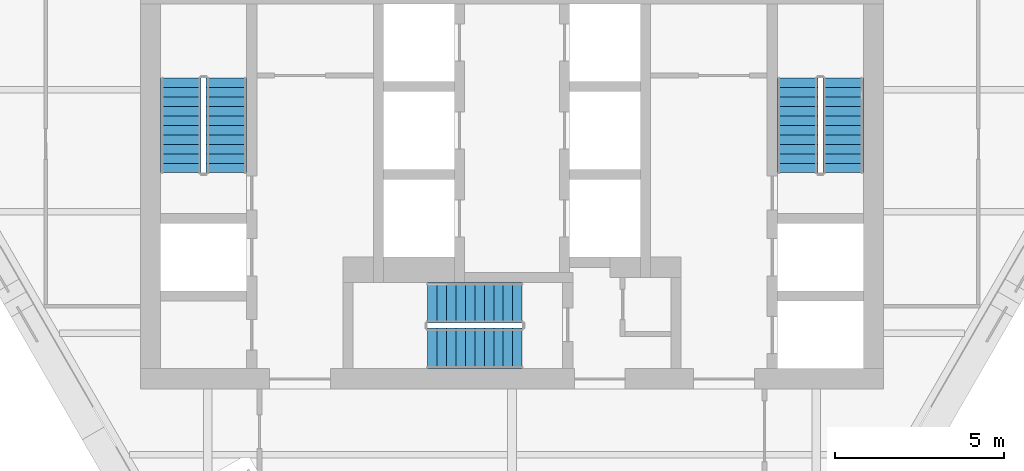
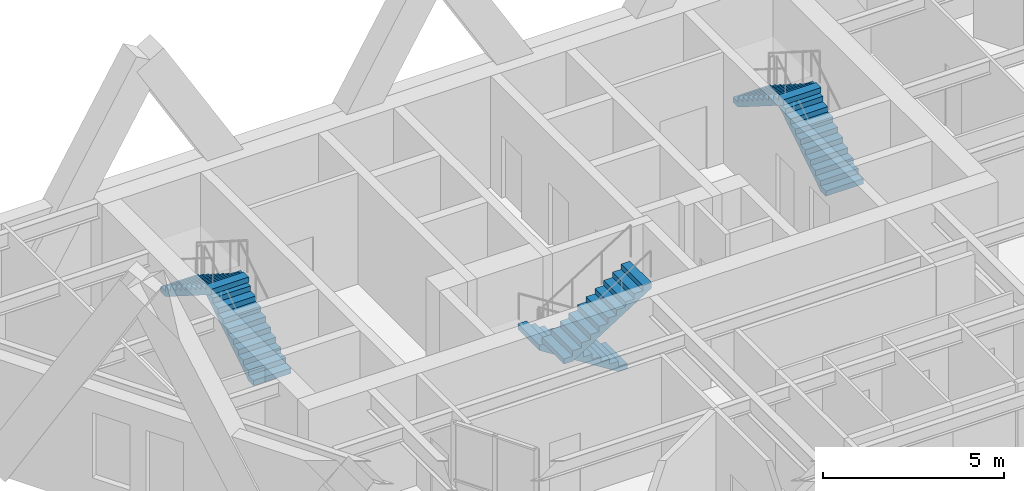
# One storey, part 7 of 8: 6 stair flights, 3 elements without a shape of their own.
"""IFC4 building model written with IfcOpenShell, lengths in metres."""

from ifc_helpers import new_model, si_unit, direction, frame, origin, place, context, subcontext, project, spatial, polyline, outline, extrude, material, type_object, element, aggregate, save


model = new_model("IFC4")

# Units and contexts
model_context = context("Model", 3, precision=1e-05, world=origin(), true_north=direction((0.0, 1.0)))
body_context = subcontext(model_context, "Body", "Model", "MODEL_VIEW")
ifc_project = project(units=[si_unit("LENGTHUNIT", "METRE"), si_unit("AREAUNIT", "SQUARE_METRE"), si_unit("VOLUMEUNIT", "CUBIC_METRE"), si_unit("PLANEANGLEUNIT", "RADIAN"), si_unit("MASSUNIT", "GRAM", prefix="KILO")], contexts=[model_context])

# Site, building, storey
site_placement = place(None, origin())
site = spatial("IfcSite", under=ifc_project, at=site_placement, CompositionType="ELEMENT")
building_placement = place(site_placement, origin())
building = spatial("IfcBuilding", under=site, at=building_placement, Name="Aloe Facet Convention Tower", CompositionType="ELEMENT")
storey_placement = place(building_placement, frame((0.0, 0.0, 262.10009765625)))
storey = spatial("IfcBuildingStorey", under=building, at=storey_placement, Name="L64", CompositionType="ELEMENT", Elevation=262.10009765625)

# Stair, stair flights
ifc_material_1 = material(Name="Concrete C50/60", Category="concrete")
stair_type = type_object("IfcStairType", Name="CR-ST-22R", PredefinedType="HALF_TURN_STAIR", material=ifc_material_1)
stair_1_placement = place(storey_placement, origin())
stair_1 = element("IfcStair", 1, at=stair_1_placement, inside=storey, type_object=stair_type, Name="L64 Protected exit stair ST1", PredefinedType="HALF_TURN_STAIR")
ifc_material_2 = material(Name="Concrete C50/60", Category="concrete")
stair_flight_type = type_object("IfcStairFlightType", Name="CR-SFL-22R", PredefinedType="STRAIGHT", material=ifc_material_2)
stair_flight_1_placement = place(storey_placement, frame((71.550048828125, 128.949951171875, 0.0), z_axis=(0.0, 0.0, 1.0), x_axis=(0.0, 1.0, 0.0)))
stair_flight_1 = element("IfcStairFlight", 2, at=stair_flight_1_placement, type_object=stair_flight_type, Name="ST1 flight 1", NumberOfRisers=11, NumberOfTreads=10, PredefinedType="STRAIGHT", RiserHeight=0.177272727, TreadLength=0.28, context=body_context, shape_type="SweptSolid", body=[
    extrude(outline(polyline([(0.0, 0.0), (0.0, 0.17724609375), (0.280029296875, 0.17724609375), (0.280029296875, 0.3544921875), (0.56005859375, 0.3544921875), (0.56005859375, 0.53173828125), (0.840087890625, 0.53173828125), (0.840087890625, 0.708984375), (1.1201171875, 0.708984375), (1.1201171875, 0.886474609375), (1.39990234375, 0.886474609375), (1.39990234375, 1.063720703125), (1.679931640625, 1.063720703125), (1.679931640625, 1.240966796875), (1.9599609375, 1.240966796875), (1.9599609375, 1.418212890625), (2.239990234375, 1.418212890625), (2.239990234375, 1.595458984375), (2.52001953125, 1.595458984375), (2.52001953125, 1.772705078125), (2.800048828125, 1.772705078125), (2.800048828125, 1.949951171875), (2.800048828125, 1.59521484375), (0.2802734375, 0.0), (0.0, 0.0)])), frame((0.0, 0.60009765625, 0.0), z_axis=(0.0, -1.0, 0.0), x_axis=(1.0, 0.0, 0.0)), (0.0, 0.0, 1.0), 1.199951171875),
])
stair_flight_2_placement = place(storey_placement, frame((70.199951171875, 131.75, 1.949951171875), z_axis=(0.0, 0.0, 1.0), x_axis=(0.0, -1.0, 0.0)))
stair_flight_2 = element("IfcStairFlight", 3, at=stair_flight_2_placement, type_object=stair_flight_type, Name="ST1 flight 2", NumberOfRisers=11, NumberOfTreads=10, PredefinedType="STRAIGHT", RiserHeight=0.177272727, TreadLength=0.28, context=body_context, shape_type="SweptSolid", body=[
    extrude(outline(polyline([(0.0, 0.0), (0.0, 0.17724609375), (0.280029296875, 0.17724609375), (0.280029296875, 0.3544921875), (0.56005859375, 0.3544921875), (0.56005859375, 0.53173828125), (0.840087890625, 0.53173828125), (0.840087890625, 0.708984375), (1.1201171875, 0.708984375), (1.1201171875, 0.886474609375), (1.39990234375, 0.886474609375), (1.39990234375, 1.063720703125), (1.679931640625, 1.063720703125), (1.679931640625, 1.240966796875), (1.9599609375, 1.240966796875), (1.9599609375, 1.418212890625), (2.239990234375, 1.418212890625), (2.239990234375, 1.595458984375), (2.52001953125, 1.595458984375), (2.52001953125, 1.772705078125), (2.800048828125, 1.772705078125), (2.800048828125, 1.949951171875), (2.800048828125, 1.59521484375), (0.2802734375, 0.0), (0.0, 0.0)])), frame((0.0, 0.60009765625, 0.0), z_axis=(0.0, -1.0, 0.0), x_axis=(1.0, 0.0, 0.0)), (0.0, 0.0, 1.0), 1.199951171875),
])
aggregate(stair_1, [stair_flight_1, stair_flight_2])

stair_2_placement = place(storey_placement, origin())
stair_2 = element("IfcStair", 4, at=stair_2_placement, inside=storey, type_object=stair_type, Name="L64 Protected exit stair ST2", PredefinedType="HALF_TURN_STAIR")
stair_flight_3_placement = place(storey_placement, frame((89.800048828125, 128.949951171875, 0.0), z_axis=(0.0, 0.0, 1.0), x_axis=(0.0, 1.0, 0.0)))
stair_flight_3 = element("IfcStairFlight", 5, at=stair_flight_3_placement, type_object=stair_flight_type, Name="ST2 flight 1", NumberOfRisers=11, NumberOfTreads=10, PredefinedType="STRAIGHT", RiserHeight=0.177272727, TreadLength=0.28, context=body_context, shape_type="SweptSolid", body=[
    extrude(outline(polyline([(0.0, 0.0), (0.0, 0.17724609375), (0.280029296875, 0.17724609375), (0.280029296875, 0.3544921875), (0.56005859375, 0.3544921875), (0.56005859375, 0.53173828125), (0.840087890625, 0.53173828125), (0.840087890625, 0.708984375), (1.1201171875, 0.708984375), (1.1201171875, 0.886474609375), (1.39990234375, 0.886474609375), (1.39990234375, 1.063720703125), (1.679931640625, 1.063720703125), (1.679931640625, 1.240966796875), (1.9599609375, 1.240966796875), (1.9599609375, 1.418212890625), (2.239990234375, 1.418212890625), (2.239990234375, 1.595458984375), (2.52001953125, 1.595458984375), (2.52001953125, 1.772705078125), (2.800048828125, 1.772705078125), (2.800048828125, 1.949951171875), (2.800048828125, 1.59521484375), (0.2802734375, 0.0), (0.0, 0.0)])), frame((0.0, 0.60009765625, 0.0), z_axis=(0.0, -1.0, 0.0), x_axis=(1.0, 0.0, 0.0)), (0.0, 0.0, 1.0), 1.199951171875),
])
stair_flight_4_placement = place(storey_placement, frame((88.449951171875, 131.75, 1.949951171875), z_axis=(0.0, 0.0, 1.0), x_axis=(0.0, -1.0, 0.0)))
stair_flight_4 = element("IfcStairFlight", 6, at=stair_flight_4_placement, type_object=stair_flight_type, Name="ST2 flight 2", NumberOfRisers=11, NumberOfTreads=10, PredefinedType="STRAIGHT", RiserHeight=0.177272727, TreadLength=0.28, context=body_context, shape_type="SweptSolid", body=[
    extrude(outline(polyline([(0.0, 0.0), (0.0, 0.17724609375), (0.280029296875, 0.17724609375), (0.280029296875, 0.3544921875), (0.56005859375, 0.3544921875), (0.56005859375, 0.53173828125), (0.840087890625, 0.53173828125), (0.840087890625, 0.708984375), (1.1201171875, 0.708984375), (1.1201171875, 0.886474609375), (1.39990234375, 0.886474609375), (1.39990234375, 1.063720703125), (1.679931640625, 1.063720703125), (1.679931640625, 1.240966796875), (1.9599609375, 1.240966796875), (1.9599609375, 1.418212890625), (2.239990234375, 1.418212890625), (2.239990234375, 1.595458984375), (2.52001953125, 1.595458984375), (2.52001953125, 1.772705078125), (2.800048828125, 1.772705078125), (2.800048828125, 1.949951171875), (2.800048828125, 1.59521484375), (0.2802734375, 0.0), (0.0, 0.0)])), frame((0.0, 0.60009765625, 0.0), z_axis=(0.0, -1.0, 0.0), x_axis=(1.0, 0.0, 0.0)), (0.0, 0.0, 1.0), 1.199951171875),
])
aggregate(stair_2, [stair_flight_3, stair_flight_4])

stair_3_placement = place(storey_placement, origin())
stair_3 = element("IfcStair", 7, at=stair_3_placement, inside=storey, type_object=stair_type, Name="L64 Protected exit stair ST3", PredefinedType="HALF_TURN_STAIR")
stair_flight_5_placement = place(storey_placement, frame((80.300048828125, 125.10009765625, 0.0), z_axis=(0.0, 0.0, 1.0), x_axis=(-1.0, 0.0, 0.0)))
stair_flight_5 = element("IfcStairFlight", 8, at=stair_flight_5_placement, type_object=stair_flight_type, Name="ST3 flight 1", NumberOfRisers=11, NumberOfTreads=10, PredefinedType="STRAIGHT", RiserHeight=0.177272727, TreadLength=0.28, context=body_context, shape_type="SweptSolid", body=[
    extrude(outline(polyline([(0.0, 0.0), (0.0, 0.17724609375), (0.280029296875, 0.17724609375), (0.280029296875, 0.3544921875), (0.56005859375, 0.3544921875), (0.56005859375, 0.53173828125), (0.840087890625, 0.53173828125), (0.840087890625, 0.708984375), (1.1201171875, 0.708984375), (1.1201171875, 0.886474609375), (1.39990234375, 0.886474609375), (1.39990234375, 1.063720703125), (1.679931640625, 1.063720703125), (1.679931640625, 1.240966796875), (1.9599609375, 1.240966796875), (1.9599609375, 1.418212890625), (2.239990234375, 1.418212890625), (2.239990234375, 1.595458984375), (2.52001953125, 1.595458984375), (2.52001953125, 1.772705078125), (2.800048828125, 1.772705078125), (2.800048828125, 1.949951171875), (2.800048828125, 1.59521484375), (0.2802734375, 0.0), (0.0, 0.0)])), frame((0.0, 0.60009765625, 0.0), z_axis=(0.0, -1.0, 0.0), x_axis=(1.0, 0.0, 0.0)), (0.0, 0.0, 1.0), 1.199951171875),
])
stair_flight_6_placement = place(storey_placement, frame((77.5, 123.75, 1.949951171875), z_axis=(0.0, 0.0, 1.0), x_axis=(1.0, 0.0, 0.0)))
stair_flight_6 = element("IfcStairFlight", 9, at=stair_flight_6_placement, type_object=stair_flight_type, Name="ST3 flight 2", NumberOfRisers=11, NumberOfTreads=10, PredefinedType="STRAIGHT", RiserHeight=0.177272727, TreadLength=0.28, context=body_context, shape_type="SweptSolid", body=[
    extrude(outline(polyline([(0.0, 0.0), (0.0, 0.17724609375), (0.280029296875, 0.17724609375), (0.280029296875, 0.3544921875), (0.56005859375, 0.3544921875), (0.56005859375, 0.53173828125), (0.840087890625, 0.53173828125), (0.840087890625, 0.708984375), (1.1201171875, 0.708984375), (1.1201171875, 0.886474609375), (1.39990234375, 0.886474609375), (1.39990234375, 1.063720703125), (1.679931640625, 1.063720703125), (1.679931640625, 1.240966796875), (1.9599609375, 1.240966796875), (1.9599609375, 1.418212890625), (2.239990234375, 1.418212890625), (2.239990234375, 1.595458984375), (2.52001953125, 1.595458984375), (2.52001953125, 1.772705078125), (2.800048828125, 1.772705078125), (2.800048828125, 1.949951171875), (2.800048828125, 1.59521484375), (0.2802734375, 0.0), (0.0, 0.0)])), frame((0.0, 0.60009765625, 0.0), z_axis=(0.0, -1.0, 0.0), x_axis=(1.0, 0.0, 0.0)), (0.0, 0.0, 1.0), 1.199951171875),
])
aggregate(stair_3, [stair_flight_5, stair_flight_6])

save(model, "model.ifc")
